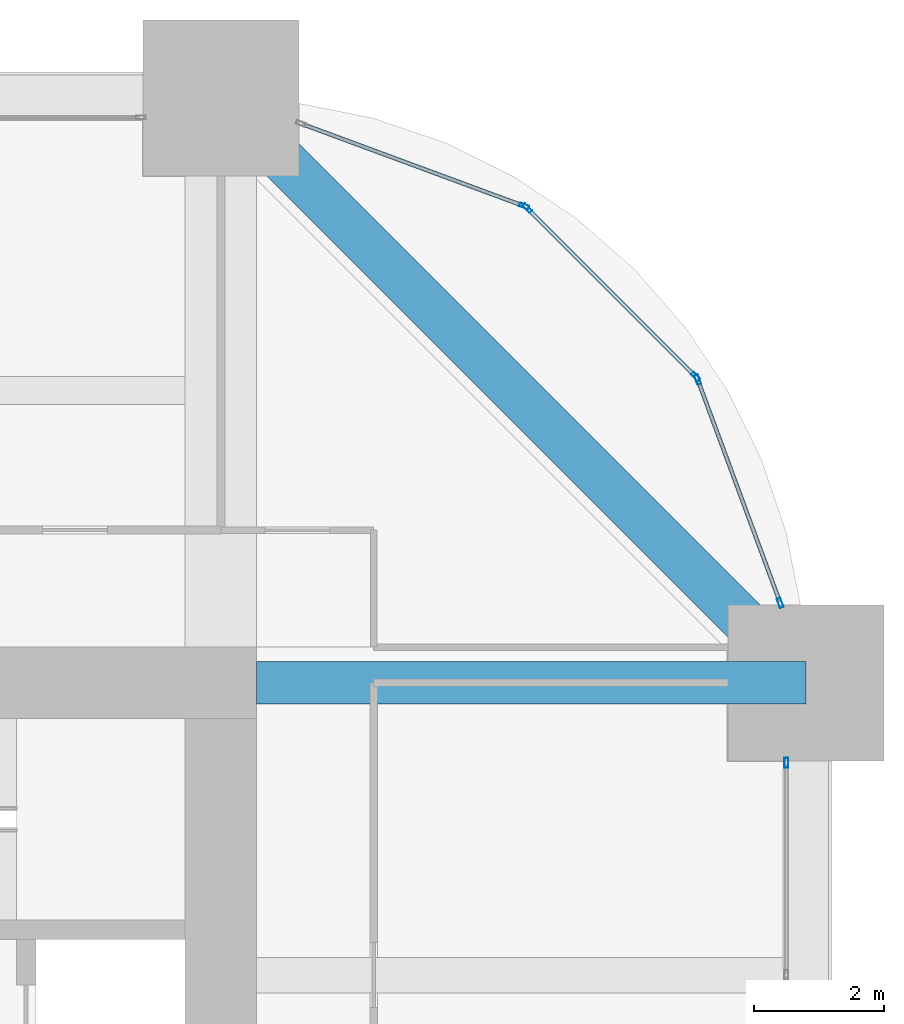
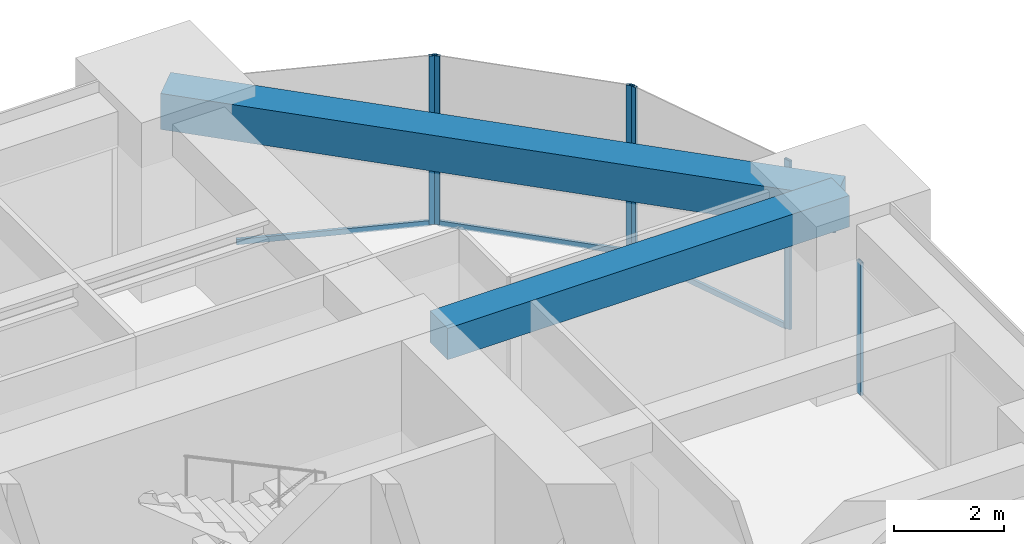
# One storey, part 27 of 32: 9 members, 2 beams, 4 elements without a shape of their own.
"""IFC4 building model written with IfcOpenShell, lengths in metres."""

import ifcopenshell
import ifcopenshell.guid

model = None  # the IFC model being written
_history = None  # IfcOwnerHistory: only IFC2X3 demands one
_inside = {}  # id of a spatial element -> (the spatial element, [elements in it])
_under = {}  # id of a project, library or spatial element -> (it, [spatial elements below it])
_declared = {}  # id of a project -> (the project, [libraries it declares])
_typed = {}  # id of a type object -> (the type object, [elements of that type])
_made_of = {}  # id of a material, layer set ... -> (it, [elements and type objects made of it])


def new_model(schema):
    """Start an empty IFC model of exactly this schema.

    Asked for "IFC4X3", IfcOpenShell would pick the latest addendum, in which some entities
    have other attributes; the version numbers below select the first issue.
    IFC2X3 requires an IfcOwnerHistory on every rooted entity: one is made here for all.
    """
    global model, _history
    if schema == "IFC4X3":
        model = ifcopenshell.file(schema_version=(4, 3, 0, 0))
    else:
        model = ifcopenshell.file(schema=schema)
    _inside.clear()
    _under.clear()
    _declared.clear()
    _typed.clear()
    _made_of.clear()
    _history = None
    if model.schema == "IFC2X3":
        org = make("IfcOrganization", Name="unknown")
        user = make(
            "IfcPersonAndOrganization",
            ThePerson=make("IfcPerson", FamilyName="unknown"),
            TheOrganization=org,
        )
        app = make(
            "IfcApplication",
            ApplicationDeveloper=org,
            Version="unknown",
            ApplicationFullName="unknown",
            ApplicationIdentifier="unknown",
        )
        _history = make(
            "IfcOwnerHistory",
            OwningUser=user,
            OwningApplication=app,
            ChangeAction="ADDED",
            CreationDate=0,
        )
    return model


def make(cls, **values):
    """One entity of the class cls with the attributes given. An attribute that is None is left unset."""
    return model.create_entity(
        cls, **{name: value for name, value in values.items() if value is not None}
    )


def rooted(cls, **values):
    """An entity with a GlobalId (a new one), such as an element, a storey or a relation."""
    return make(cls, GlobalId=ifcopenshell.guid.new(), OwnerHistory=_history, **values)


def si_unit(unit_type, name, prefix=None):
    """IfcSIUnit, for example si_unit("LENGTHUNIT", "METRE", prefix="MILLI")."""
    return make("IfcSIUnit", UnitType=unit_type, Prefix=prefix, Name=name)


def assignment(units):
    """IfcUnitAssignment: the units of a project."""
    return None if units is None else make("IfcUnitAssignment", Units=units)


def point(xyz):
    """IfcCartesianPoint."""
    return None if xyz is None else make("IfcCartesianPoint", Coordinates=xyz)


def direction(xyz):
    """IfcDirection."""
    return None if xyz is None else make("IfcDirection", DirectionRatios=xyz)


def frame(location, z_axis=None, x_axis=None):
    """IfcAxis2Placement3D, a coordinate frame: its origin and axes. An axis left out is left unset."""
    return make(
        "IfcAxis2Placement3D",
        Location=point(location),
        Axis=direction(z_axis),
        RefDirection=direction(x_axis),
    )


def frame_2d(location, x_axis=None):
    """IfcAxis2Placement2D, a coordinate frame in the plane: its origin and x axis."""
    return make(
        "IfcAxis2Placement2D", Location=point(location), RefDirection=direction(x_axis)
    )


def origin():
    """The frame at (0, 0, 0) with its axes left unset."""
    return frame((0.0, 0.0, 0.0))


def origin_2d():
    """The frame at (0, 0) in the plane with its x axis left unset."""
    return frame_2d((0.0, 0.0))


def place(relative_to, where):
    """IfcLocalPlacement: puts the frame where relative to a parent placement (None: the world)."""
    return make(
        "IfcLocalPlacement", PlacementRelTo=relative_to, RelativePlacement=where
    )


def context(
    kind, dimensions, precision=None, world=None, true_north=None, identifier=None
):
    """IfcGeometricRepresentationContext, for example the 3D "Model" context."""
    return make(
        "IfcGeometricRepresentationContext",
        ContextIdentifier=identifier,
        ContextType=kind,
        CoordinateSpaceDimension=dimensions,
        Precision=precision,
        WorldCoordinateSystem=world,
        TrueNorth=true_north,
    )


def subcontext(parent, identifier, kind, view, scale=None):
    """IfcGeometricRepresentationSubContext, for example "Body" below "Model"."""
    return make(
        "IfcGeometricRepresentationSubContext",
        ContextIdentifier=identifier,
        ContextType=kind,
        ParentContext=parent,
        TargetScale=scale,
        TargetView=view,
    )


def project(units=None, contexts=None):
    """IfcProject with its units and contexts."""
    return rooted(
        "IfcProject",
        Name="project",
        RepresentationContexts=contexts,
        UnitsInContext=assignment(units),
    )


def spatial(cls, under=None, at=None, **own):
    """A site, building, storey or space (cls), placed at a placement, below another one or the project."""
    s = rooted(cls, ObjectPlacement=at, **own)
    if under is not None:
        _under.setdefault(under.id(), (under, []))[1].append(s)
    return s


def profile(cls, at=None, kind="AREA", **sizes):
    """A parametric profile (cls). Its sizes go by their IFC names, for example OverallWidth=200.0."""
    return make(cls, ProfileType=kind, Position=at, **sizes)


def rectangle(**sizes):
    """IfcRectangleProfileDef."""
    return profile("IfcRectangleProfileDef", **sizes)


def hollow_rectangle(**sizes):
    """IfcRectangleHollowProfileDef."""
    return profile("IfcRectangleHollowProfileDef", **sizes)


def extrude(swept, where, along, depth):
    """IfcExtrudedAreaSolid: the profile swept, set in the frame where, extruded along a direction by depth."""
    return make(
        "IfcExtrudedAreaSolid",
        SweptArea=swept,
        Position=where,
        ExtrudedDirection=direction(along),
        Depth=depth,
    )


def shape(context_of_items, identifier, shape_type, items):
    """IfcShapeRepresentation: the items that make up one representation, for example the "Body"."""
    return make(
        "IfcShapeRepresentation",
        ContextOfItems=context_of_items,
        RepresentationIdentifier=identifier,
        RepresentationType=shape_type,
        Items=items,
    )


def material(Name=None, Category=None):
    """IfcMaterial."""
    return make("IfcMaterial", Name=Name, Category=Category)


def material_profile(
    of_material, cross_section, Name=None, Category=None, Priority=None
):
    """IfcMaterialProfile: a cross section and its material."""
    return make(
        "IfcMaterialProfile",
        Name=Name,
        Material=of_material,
        Profile=cross_section,
        Priority=Priority,
        Category=Category,
    )


def profile_set(profiles, Name=None, composite=None):
    """IfcMaterialProfileSet."""
    return make(
        "IfcMaterialProfileSet",
        Name=Name,
        MaterialProfiles=profiles,
        CompositeProfile=composite,
    )


def made_of(thing, what):
    """Note that an element or type object is made of a material, layer set ...; save() writes the relation."""
    if what is not None:
        _made_of.setdefault(what.id(), (what, []))[1].append(thing)
    return thing


def type_object(cls, material=None, **own):
    """A type object (cls), such as IfcWallType, which elements share."""
    return made_of(rooted(cls, **own), material)


def element(
    cls,
    number,
    at=None,
    inside=None,
    cuts=None,
    type_object=None,
    material=None,
    context=None,
    identifier="Body",
    shape_type=None,
    held_by="IfcProductDefinitionShape",
    body=None,
    shapes=None,
    **own,
):
    """One element of the class cls, such as IfcWall. Its Tag is "e" and its number.

    at: its placement. inside: the storey or other place that contains it. cuts: it is an
    opening in that element (IfcRelVoidsElement). A single representation is given by context,
    identifier, shape_type and body (its items); several are given by shapes. held_by: the class
    of the entity that holds the representations. save() writes the other relations.
    """
    e = rooted(cls, Tag="e%d" % number, ObjectPlacement=at, **own)
    if body is not None:
        shapes = [shape(context, identifier, shape_type, body)]
    if shapes is not None:
        e.Representation = make(held_by, Representations=shapes)
    if inside is not None:
        _inside.setdefault(inside.id(), (inside, []))[1].append(e)
    if cuts is not None:
        rooted(
            "IfcRelVoidsElement", RelatingBuildingElement=cuts, RelatedOpeningElement=e
        )
    if type_object is not None:
        _typed.setdefault(type_object.id(), (type_object, []))[1].append(e)
    return made_of(e, material)


def aggregate(whole, parts):
    """IfcRelAggregates: a whole, such as a stair, and the parts it consists of."""
    return rooted("IfcRelAggregates", RelatingObject=whole, RelatedObjects=parts)


def save(model, path):
    """Write the relations noted so far, then the file.

    IfcRelAggregates (storeys below a building ...), IfcRelContainedInSpatialStructure (elements
    in a storey), IfcRelDefinesByType, IfcRelAssociatesMaterial and IfcRelDeclares: one each for
    every whole, place, type object, material and project.
    """
    for whole, parts in _under.values():
        aggregate(whole, parts)
    for where, things in _inside.values():
        rooted(
            "IfcRelContainedInSpatialStructure",
            RelatedElements=things,
            RelatingStructure=where,
        )
    for kind, things in _typed.values():
        rooted("IfcRelDefinesByType", RelatedObjects=things, RelatingType=kind)
    for what, things in _made_of.values():
        rooted("IfcRelAssociatesMaterial", RelatedObjects=things, RelatingMaterial=what)
    for by, libraries in _declared.values():
        rooted("IfcRelDeclares", RelatingContext=by, RelatedDefinitions=libraries)
    model.write(path)


model = new_model("IFC4")

# Units and contexts
model_context = context("Model", 3, precision=1e-05, world=origin(), true_north=direction((0.0, 1.0)))
body_context = subcontext(model_context, "Body", "Model", "MODEL_VIEW")
ifc_project = project(units=[si_unit("LENGTHUNIT", "METRE"), si_unit("AREAUNIT", "SQUARE_METRE"), si_unit("VOLUMEUNIT", "CUBIC_METRE"), si_unit("PLANEANGLEUNIT", "RADIAN"), si_unit("MASSUNIT", "GRAM", prefix="KILO")], contexts=[model_context])

# Site, building, storey
site_placement = place(None, origin())
site = spatial("IfcSite", under=ifc_project, at=site_placement, CompositionType="ELEMENT")
building_placement = place(site_placement, origin())
building = spatial("IfcBuilding", under=site, at=building_placement, Name="Zorevar Civic Tower", CompositionType="ELEMENT")
storey_placement = place(building_placement, frame((0.0, 0.0, 198.199951171875)))
storey = spatial("IfcBuildingStorey", under=building, at=storey_placement, Name="L48", CompositionType="ELEMENT", Elevation=198.199951171875)

# Beam
ifc_material_1 = material(Name="Concrete C50/60", Category="concrete")
ifc_material_profile_1 = material_profile(ifc_material_1, rectangle(XDim=0.64990234375, YDim=0.699951171875, at=origin_2d()), Name="RC 650x700")
ifc_profile_set_1 = profile_set([ifc_material_profile_1], Name="Concrete C50/60")
beam_type_1 = type_object("IfcBeamType", Name="Beam RC 650x700", PredefinedType="BEAM", material=ifc_profile_set_1)
beam_1_placement = place(storey_placement, frame((45.550048828125, 36.0, 3.400146484375), z_axis=(1.0, 0.0, 0.0), x_axis=(0.0, 1.0, 0.0)))
element("IfcBeam", 1, at=beam_1_placement, inside=storey, type_object=beam_type_1, Name="Girder L49", PredefinedType="BEAM", context=body_context, shape_type="SweptSolid", body=[
    extrude(rectangle(XDim=0.64990234375, YDim=0.699951171875, at=origin_2d()), origin(), (0.0, 0.0, 1.0), 8.449951171875),
])

# Curtain wall, member
ifc_material_2 = material(Name="Dark grey solar-control glass in black aluminium frame", Category="aluminium")
curtain_wall_type = type_object("IfcCurtainWallType", Name="Curtain wall CW4 high zone", PredefinedType="NOTDEFINED", material=ifc_material_2)
curtain_wall_1_placement = place(storey_placement, origin())
curtain_wall_1 = element("IfcCurtainWall", 2, at=curtain_wall_1_placement, inside=storey, type_object=curtain_wall_type, Name="CW4 L48", PredefinedType="NOTDEFINED")
ifc_material_3 = material(Name="Aluminium, black anodised", Category="aluminium")
ifc_material_profile_2 = material_profile(ifc_material_3, hollow_rectangle(XDim=0.06005859375, YDim=0.14990234375, WallThickness=0.00390625, at=origin_2d()), Name="AL 150x60x4")
ifc_profile_set_2 = profile_set([ifc_material_profile_2], Name="Aluminium, black anodised")
member_type_1 = type_object("IfcMemberType", Name="CW4 mullion AL 150x60x4", PredefinedType="MULLION", material=ifc_profile_set_2)
member_1_placement = place(storey_placement, frame((53.699951171875, 34.77001953125, 0.0), z_axis=(0.0, 0.0, 1.0), x_axis=(-1.0, 0.0, 0.0)))
member_1 = element("IfcMember", 3, at=member_1_placement, type_object=member_type_1, Name="CW4 mullion 3", PredefinedType="MULLION", context=body_context, shape_type="SweptSolid", body=[
    extrude(hollow_rectangle(XDim=0.06005859375, YDim=0.14990234375, WallThickness=0.00390625, at=origin_2d()), origin(), (0.0, 0.0, 1.0), 2.949951171875),
])
aggregate(curtain_wall_1, [member_1])

# Curtain wall, members
curtain_wall_2_placement = place(storey_placement, origin())
curtain_wall_2 = element("IfcCurtainWall", 4, at=curtain_wall_2_placement, inside=storey, type_object=curtain_wall_type, Name="CW4 L48", PredefinedType="NOTDEFINED")
member_2_placement = place(storey_placement, frame((53.6064453125, 37.22802734375, 0.0), z_axis=(0.0, 0.0, 1.0), x_axis=(-0.937974588163, -0.346704012033, 0.0)))
member_2 = element("IfcMember", 5, at=member_2_placement, type_object=member_type_1, Name="CW4 mullion 1", PredefinedType="MULLION", context=body_context, shape_type="SweptSolid", body=[
    extrude(hollow_rectangle(XDim=0.06005859375, YDim=0.14990234375, WallThickness=0.00390625, at=origin_2d()), origin(), (0.0, 0.0, 1.0), 3.75),
])
member_3_placement = place(storey_placement, frame((52.336181640625, 40.66455078125, 0.0), z_axis=(0.0, 0.0, 1.0), x_axis=(-0.937974588163, -0.346704012033, 0.0)))
member_3 = element("IfcMember", 6, at=member_3_placement, type_object=member_type_1, Name="CW4 mullion 2", PredefinedType="MULLION", context=body_context, shape_type="SweptSolid", body=[
    extrude(hollow_rectangle(XDim=0.06005859375, YDim=0.14990234375, WallThickness=0.00390625, at=origin_2d()), origin(), (0.0, 0.0, 1.0), 3.75),
])

curtain_wall_3_placement = place(storey_placement, origin())
curtain_wall_3 = element("IfcCurtainWall", 7, at=curtain_wall_3_placement, inside=storey, type_object=curtain_wall_type, Name="CW4 L48", PredefinedType="NOTDEFINED")
member_4_placement = place(storey_placement, frame((52.3046875, 40.7138671875, 0.0), z_axis=(0.0, 0.0, 1.0), x_axis=(-0.707106781187, -0.707106781187, 0.0)))
member_4 = element("IfcMember", 8, at=member_4_placement, type_object=member_type_1, Name="CW4 mullion 1", PredefinedType="MULLION", context=body_context, shape_type="SweptSolid", body=[
    extrude(hollow_rectangle(XDim=0.06005859375, YDim=0.14990234375, WallThickness=0.00390625, at=origin_2d()), origin(), (0.0, 0.0, 1.0), 3.75),
])
member_5_placement = place(storey_placement, frame((49.7138671875, 43.3046875, 0.0), z_axis=(0.0, 0.0, 1.0), x_axis=(-0.707106781187, -0.707106781187, 0.0)))
member_5 = element("IfcMember", 9, at=member_5_placement, type_object=member_type_1, Name="CW4 mullion 2", PredefinedType="MULLION", context=body_context, shape_type="SweptSolid", body=[
    extrude(hollow_rectangle(XDim=0.06005859375, YDim=0.14990234375, WallThickness=0.00390625, at=origin_2d()), origin(), (0.0, 0.0, 1.0), 3.75),
])

# Curtain wall, member
curtain_wall_4_placement = place(storey_placement, origin())
curtain_wall_4 = element("IfcCurtainWall", 10, at=curtain_wall_4_placement, inside=storey, type_object=curtain_wall_type, Name="CW4 L48", PredefinedType="NOTDEFINED")
member_6_placement = place(storey_placement, frame((49.66455078125, 43.336181640625, 0.0), z_axis=(0.0, 0.0, 1.0), x_axis=(-0.346704012033, -0.937974588163, 0.0)))
member_6 = element("IfcMember", 11, at=member_6_placement, type_object=member_type_1, Name="CW4 mullion 1", PredefinedType="MULLION", context=body_context, shape_type="SweptSolid", body=[
    extrude(hollow_rectangle(XDim=0.06005859375, YDim=0.14990234375, WallThickness=0.00390625, at=origin_2d()), origin(), (0.0, 0.0, 1.0), 3.75),
])

# Member
ifc_material_4 = material(Name="Aluminium, black anodised", Category="aluminium")
ifc_material_profile_3 = material_profile(ifc_material_4, hollow_rectangle(XDim=0.06005859375, YDim=0.1201171875, WallThickness=0.0029296875, at=origin_2d()), Name="AL 120x60x3")
ifc_profile_set_3 = profile_set([ifc_material_profile_3], Name="Aluminium, black anodised")
member_type_2 = type_object("IfcMemberType", Name="CW4 transom AL 120x60x3", PredefinedType="USERDEFINED", material=ifc_profile_set_3)
member_7_placement = place(storey_placement, frame((53.595947265625, 37.25634765625, 0.030029296875), z_axis=(-0.346672169799, 0.93798635741, 0.0), x_axis=(-0.93798635741, -0.346672169799, 0.0)))
member_7 = element("IfcMember", 12, at=member_7_placement, type_object=member_type_2, Name="CW4 sill transom", ObjectType="TRANSOM", PredefinedType="USERDEFINED", context=body_context, shape_type="SweptSolid", body=[
    extrude(hollow_rectangle(XDim=0.06005859375, YDim=0.1201171875, WallThickness=0.0029296875, at=origin_2d()), origin(), (0.0, 0.0, 1.0), 3.603515625),
])

aggregate(curtain_wall_2, [member_2, member_3, member_7])

member_8_placement = place(storey_placement, frame((52.283447265625, 40.735107421875, 0.030029296875), z_axis=(-0.707106781187, 0.707106781187, 0.0), x_axis=(-0.707106781187, -0.707106781187, 0.0)))
member_8 = element("IfcMember", 13, at=member_8_placement, type_object=member_type_2, Name="CW4 sill transom", ObjectType="TRANSOM", PredefinedType="USERDEFINED", context=body_context, shape_type="SweptSolid", body=[
    extrude(hollow_rectangle(XDim=0.06005859375, YDim=0.1201171875, WallThickness=0.0029296875, at=origin_2d()), origin(), (0.0, 0.0, 1.0), 3.60400390625),
])

aggregate(curtain_wall_3, [member_4, member_5, member_8])

member_9_placement = place(storey_placement, frame((49.636474609375, 43.3466796875, 0.030029296875), z_axis=(-0.93798635741, 0.346672169799, 0.0), x_axis=(-0.346672169799, -0.93798635741, 0.0)))
member_9 = element("IfcMember", 14, at=member_9_placement, type_object=member_type_2, Name="CW4 sill transom", ObjectType="TRANSOM", PredefinedType="USERDEFINED", context=body_context, shape_type="SweptSolid", body=[
    extrude(hollow_rectangle(XDim=0.06005859375, YDim=0.1201171875, WallThickness=0.0029296875, at=origin_2d()), origin(), (0.0, 0.0, 1.0), 3.603515625),
])

aggregate(curtain_wall_4, [member_6, member_9])

# Beam
ifc_material_5 = material(Name="Concrete C50/60", Category="concrete")
ifc_material_profile_4 = material_profile(ifc_material_5, rectangle(XDim=0.699951171875, YDim=0.800048828125, at=origin_2d()), Name="RC 700x800")
ifc_profile_set_4 = profile_set([ifc_material_profile_4], Name="Concrete C50/60")
beam_type_2 = type_object("IfcBeamType", Name="Edge beam RC 700x800", PredefinedType="SPANDREL", material=ifc_profile_set_4)
beam_2_placement = place(storey_placement, frame((54.0, 36.0, 3.35009765625), z_axis=(-0.707106781187, 0.707106781187, 0.0), x_axis=(-0.707106781187, -0.707106781187, 0.0)))
element("IfcBeam", 15, at=beam_2_placement, inside=storey, type_object=beam_type_2, Name="Corner edge beam L49", PredefinedType="SPANDREL", context=body_context, shape_type="SweptSolid", body=[
    extrude(rectangle(XDim=0.699951171875, YDim=0.800048828125, at=origin_2d()), origin(), (0.0, 0.0, 1.0), 12.72802734375),
])

save(model, "model.ifc")
